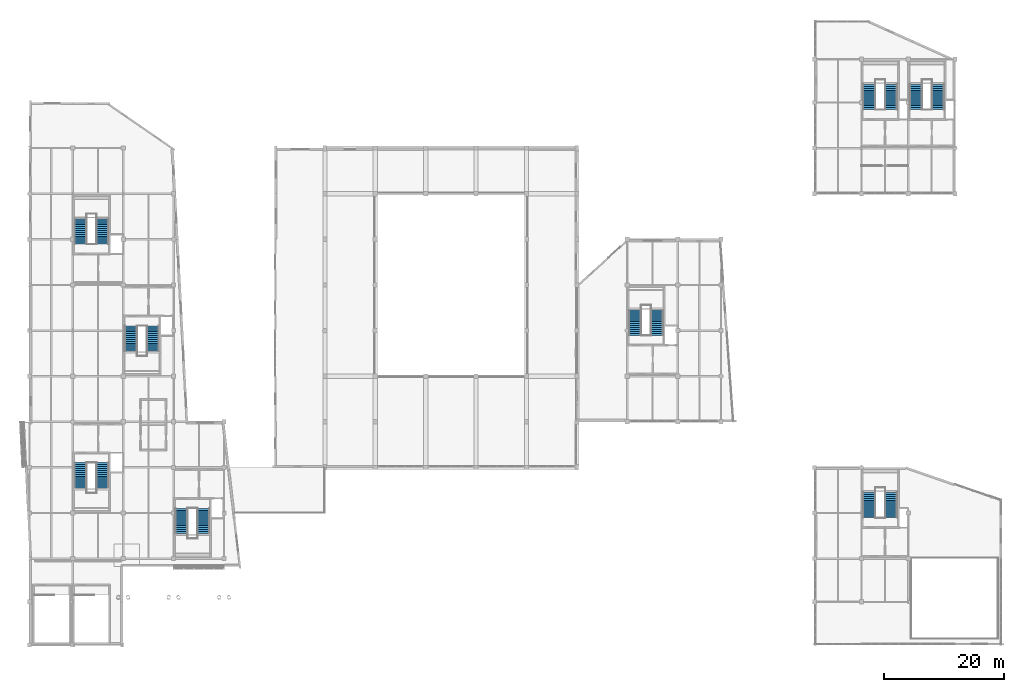
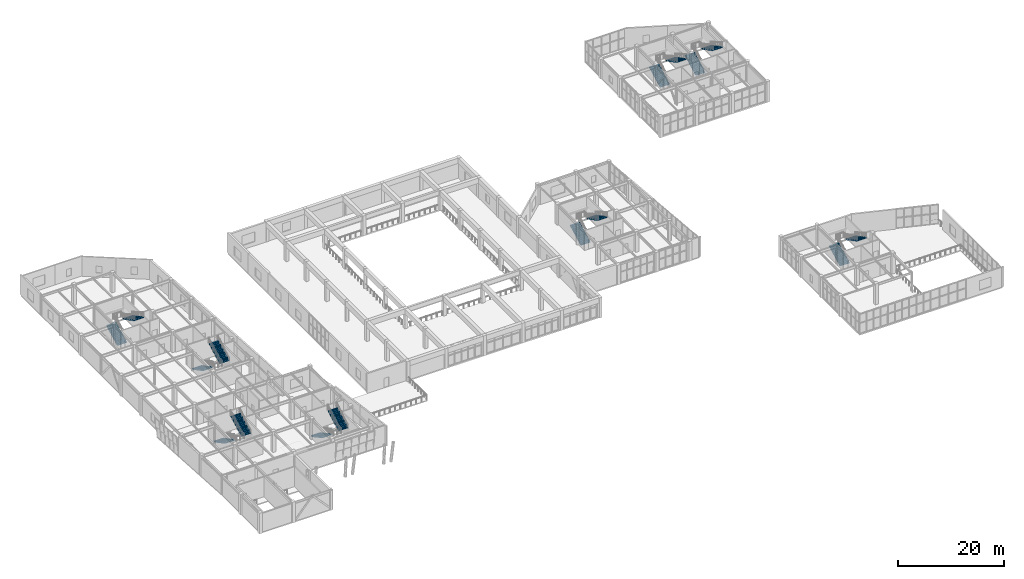
# One storey, part 69 of 72: 16 stair flights, 8 elements without a shape of their own.
"""IFC4 building model written with IfcOpenShell, lengths in metres."""

from ifc_helpers import new_model, si_unit, direction, frame, origin, place, context, subcontext, project, spatial, polyline, outline, extrude, material, type_object, element, aggregate, save


model = new_model("IFC4")

# Units and contexts
model_context = context("Model", 3, precision=1e-05, world=origin(), true_north=direction((0.0, 1.0)))
body_context = subcontext(model_context, "Body", "Model", "MODEL_VIEW")
ifc_project = project(units=[si_unit("LENGTHUNIT", "METRE"), si_unit("AREAUNIT", "SQUARE_METRE"), si_unit("VOLUMEUNIT", "CUBIC_METRE"), si_unit("PLANEANGLEUNIT", "RADIAN"), si_unit("MASSUNIT", "GRAM", prefix="KILO")], contexts=[model_context])

# Site, building, storey
site_placement = place(None, origin())
site = spatial("IfcSite", under=ifc_project, at=site_placement, CompositionType="ELEMENT")
building_placement = place(site_placement, origin())
building = spatial("IfcBuilding", under=site, at=building_placement, Name="Xicomal Pleat Aquarium", CompositionType="ELEMENT")
storey_placement = place(building_placement, frame((0.0, 0.0, 10.5)))
storey = spatial("IfcBuildingStorey", under=building, at=storey_placement, Name="L03", CompositionType="ELEMENT", Elevation=10.5)

# Stair, stair flights
ifc_material_1 = material(Name="Concrete C35/45", Category="concrete")
stair_type = type_object("IfcStairType", Name="STR-HT-4800-2400", PredefinedType="HALF_TURN_STAIR", material=ifc_material_1)
stair_1_placement = place(storey_placement, origin())
stair_1 = element("IfcStair", 1, at=stair_1_placement, inside=storey, type_object=stair_type, Name="ST-01 fire exit stair L03 to L04", PredefinedType="HALF_TURN_STAIR")
ifc_material_2 = material(Name="Concrete C35/45", Category="concrete")
stair_flight_type = type_object("IfcStairFlightType", Name="STF-4800-2400", PredefinedType="STRAIGHT", material=ifc_material_2)
stair_flight_1_placement = place(storey_placement, frame((11.489990234375, 31.179931640625, 0.0), z_axis=(0.0, 0.0, 1.0), x_axis=(0.0, -1.0, 0.0)))
stair_flight_1 = element("IfcStairFlight", 2, at=stair_flight_1_placement, type_object=stair_flight_type, Name="ST-01 flight 1", NumberOfRisers=14, NumberOfTreads=13, PredefinedType="STRAIGHT", RiserHeight=0.171428571, TreadLength=0.322, context=body_context, shape_type="SweptSolid", body=[
    extrude(outline(polyline([(0.0, 0.0), (0.0, 0.17138671875), (0.322021484375, 0.17138671875), (0.322021484375, 0.3427734375), (0.64404296875, 0.3427734375), (0.64404296875, 0.514404296875), (0.966064453125, 0.514404296875), (0.966064453125, 0.685791015625), (1.2880859375, 0.685791015625), (1.2880859375, 0.857177734375), (1.610107421875, 0.857177734375), (1.610107421875, 1.028564453125), (1.931884765625, 1.028564453125), (1.931884765625, 1.199951171875), (2.25390625, 1.199951171875), (2.25390625, 1.371337890625), (2.575927734375, 1.371337890625), (2.575927734375, 1.54296875), (2.89794921875, 1.54296875), (2.89794921875, 1.71435546875), (3.219970703125, 1.71435546875), (3.219970703125, 1.8857421875), (3.5419921875, 1.8857421875), (3.5419921875, 2.05712890625), (3.864013671875, 2.05712890625), (3.864013671875, 2.228515625), (4.18603515625, 2.228515625), (4.18603515625, 2.39990234375), (4.18603515625, 2.04736328125), (0.34033203125, 0.0), (0.0, 0.0)])), frame((0.0, 1.050048828125, 0.0), z_axis=(0.0, -1.0, 0.0), x_axis=(1.0, 0.0, 0.0)), (0.0, 0.0, 1.0), 2.10009765625),
])
stair_flight_2_placement = place(storey_placement, frame((15.169921875, 26.993896484375, 2.39990234375), z_axis=(0.0, 0.0, 1.0), x_axis=(0.0, 1.0, 0.0)))
stair_flight_2 = element("IfcStairFlight", 3, at=stair_flight_2_placement, type_object=stair_flight_type, Name="ST-01 flight 2", NumberOfRisers=14, NumberOfTreads=13, PredefinedType="STRAIGHT", RiserHeight=0.171428571, TreadLength=0.322, context=body_context, shape_type="SweptSolid", body=[
    extrude(outline(polyline([(0.0, 0.0), (0.0, 0.17138671875), (0.322021484375, 0.17138671875), (0.322021484375, 0.3427734375), (0.64404296875, 0.3427734375), (0.64404296875, 0.514404296875), (0.966064453125, 0.514404296875), (0.966064453125, 0.685791015625), (1.2880859375, 0.685791015625), (1.2880859375, 0.857177734375), (1.610107421875, 0.857177734375), (1.610107421875, 1.028564453125), (1.931884765625, 1.028564453125), (1.931884765625, 1.199951171875), (2.25390625, 1.199951171875), (2.25390625, 1.371337890625), (2.575927734375, 1.371337890625), (2.575927734375, 1.54296875), (2.89794921875, 1.54296875), (2.89794921875, 1.71435546875), (3.219970703125, 1.71435546875), (3.219970703125, 1.8857421875), (3.5419921875, 1.8857421875), (3.5419921875, 2.05712890625), (3.864013671875, 2.05712890625), (3.864013671875, 2.228515625), (4.18603515625, 2.228515625), (4.18603515625, 2.39990234375), (4.18603515625, 2.04736328125), (0.34033203125, 0.0), (0.0, 0.0)])), frame((0.0, 1.050048828125, 0.0), z_axis=(0.0, -1.0, 0.0), x_axis=(1.0, 0.0, 0.0)), (0.0, 0.0, 1.0), 2.10009765625),
])
aggregate(stair_1, [stair_flight_1, stair_flight_2])

stair_2_placement = place(storey_placement, origin())
stair_2 = element("IfcStair", 4, at=stair_2_placement, inside=storey, type_object=stair_type, Name="ST-02 fire exit stair L03 to L04", PredefinedType="HALF_TURN_STAIR")
stair_flight_3_placement = place(storey_placement, frame((28.2900390625, 23.580078125, 0.0), z_axis=(0.0, 0.0, 1.0), x_axis=(0.0, -1.0, 0.0)))
stair_flight_3 = element("IfcStairFlight", 5, at=stair_flight_3_placement, type_object=stair_flight_type, Name="ST-02 flight 1", NumberOfRisers=14, NumberOfTreads=13, PredefinedType="STRAIGHT", RiserHeight=0.171428571, TreadLength=0.322, context=body_context, shape_type="SweptSolid", body=[
    extrude(outline(polyline([(0.0, 0.0), (0.0, 0.17138671875), (0.322021484375, 0.17138671875), (0.322021484375, 0.3427734375), (0.64404296875, 0.3427734375), (0.64404296875, 0.514404296875), (0.966064453125, 0.514404296875), (0.966064453125, 0.685791015625), (1.2880859375, 0.685791015625), (1.2880859375, 0.857177734375), (1.610107421875, 0.857177734375), (1.610107421875, 1.028564453125), (1.931884765625, 1.028564453125), (1.931884765625, 1.199951171875), (2.25390625, 1.199951171875), (2.25390625, 1.371337890625), (2.575927734375, 1.371337890625), (2.575927734375, 1.54296875), (2.89794921875, 1.54296875), (2.89794921875, 1.71435546875), (3.219970703125, 1.71435546875), (3.219970703125, 1.8857421875), (3.5419921875, 1.8857421875), (3.5419921875, 2.05712890625), (3.864013671875, 2.05712890625), (3.864013671875, 2.228515625), (4.18603515625, 2.228515625), (4.18603515625, 2.39990234375), (4.18603515625, 2.04736328125), (0.34033203125, 0.0), (0.0, 0.0)])), frame((0.0, 1.050048828125, 0.0), z_axis=(0.0, -1.0, 0.0), x_axis=(1.0, 0.0, 0.0)), (0.0, 0.0, 1.0), 2.10009765625),
])
stair_flight_4_placement = place(storey_placement, frame((31.969970703125, 19.39404296875, 2.39990234375), z_axis=(0.0, 0.0, 1.0), x_axis=(0.0, 1.0, 0.0)))
stair_flight_4 = element("IfcStairFlight", 6, at=stair_flight_4_placement, type_object=stair_flight_type, Name="ST-02 flight 2", NumberOfRisers=14, NumberOfTreads=13, PredefinedType="STRAIGHT", RiserHeight=0.171428571, TreadLength=0.322, context=body_context, shape_type="SweptSolid", body=[
    extrude(outline(polyline([(0.0, 0.0), (0.0, 0.17138671875), (0.322021484375, 0.17138671875), (0.322021484375, 0.3427734375), (0.64404296875, 0.3427734375), (0.64404296875, 0.514404296875), (0.966064453125, 0.514404296875), (0.966064453125, 0.685791015625), (1.2880859375, 0.685791015625), (1.2880859375, 0.857177734375), (1.610107421875, 0.857177734375), (1.610107421875, 1.028564453125), (1.931884765625, 1.028564453125), (1.931884765625, 1.199951171875), (2.25390625, 1.199951171875), (2.25390625, 1.371337890625), (2.575927734375, 1.371337890625), (2.575927734375, 1.54296875), (2.89794921875, 1.54296875), (2.89794921875, 1.71435546875), (3.219970703125, 1.71435546875), (3.219970703125, 1.8857421875), (3.5419921875, 1.8857421875), (3.5419921875, 2.05712890625), (3.864013671875, 2.05712890625), (3.864013671875, 2.228515625), (4.18603515625, 2.228515625), (4.18603515625, 2.39990234375), (4.18603515625, 2.04736328125), (0.34033203125, 0.0), (0.0, 0.0)])), frame((0.0, 1.050048828125, 0.0), z_axis=(0.0, -1.0, 0.0), x_axis=(1.0, 0.0, 0.0)), (0.0, 0.0, 1.0), 2.10009765625),
])
aggregate(stair_2, [stair_flight_3, stair_flight_4])

stair_3_placement = place(storey_placement, origin())
stair_3 = element("IfcStair", 7, at=stair_3_placement, inside=storey, type_object=stair_type, Name="ST-03 fire exit stair L03 to L04", PredefinedType="HALF_TURN_STAIR")
stair_flight_5_placement = place(storey_placement, frame((11.489990234375, 67.6201171875, 0.0), z_axis=(0.0, 0.0, 1.0), x_axis=(0.0, 1.0, 0.0)))
stair_flight_5 = element("IfcStairFlight", 8, at=stair_flight_5_placement, type_object=stair_flight_type, Name="ST-03 flight 1", NumberOfRisers=14, NumberOfTreads=13, PredefinedType="STRAIGHT", RiserHeight=0.171428571, TreadLength=0.322, context=body_context, shape_type="SweptSolid", body=[
    extrude(outline(polyline([(0.0, 0.0), (0.0, 0.17138671875), (0.322021484375, 0.17138671875), (0.322021484375, 0.3427734375), (0.64404296875, 0.3427734375), (0.64404296875, 0.514404296875), (0.966064453125, 0.514404296875), (0.966064453125, 0.685791015625), (1.2880859375, 0.685791015625), (1.2880859375, 0.857177734375), (1.610107421875, 0.857177734375), (1.610107421875, 1.028564453125), (1.931884765625, 1.028564453125), (1.931884765625, 1.199951171875), (2.25390625, 1.199951171875), (2.25390625, 1.371337890625), (2.575927734375, 1.371337890625), (2.575927734375, 1.54296875), (2.89794921875, 1.54296875), (2.89794921875, 1.71435546875), (3.219970703125, 1.71435546875), (3.219970703125, 1.8857421875), (3.5419921875, 1.8857421875), (3.5419921875, 2.05712890625), (3.864013671875, 2.05712890625), (3.864013671875, 2.228515625), (4.18603515625, 2.228515625), (4.18603515625, 2.39990234375), (4.18603515625, 2.04736328125), (0.34033203125, 0.0), (0.0, 0.0)])), frame((0.0, 1.050048828125, 0.0), z_axis=(0.0, -1.0, 0.0), x_axis=(1.0, 0.0, 0.0)), (0.0, 0.0, 1.0), 2.10009765625),
])
stair_flight_6_placement = place(storey_placement, frame((15.169921875, 71.805908203125, 2.39990234375), z_axis=(0.0, 0.0, 1.0), x_axis=(0.0, -1.0, 0.0)))
stair_flight_6 = element("IfcStairFlight", 9, at=stair_flight_6_placement, type_object=stair_flight_type, Name="ST-03 flight 2", NumberOfRisers=14, NumberOfTreads=13, PredefinedType="STRAIGHT", RiserHeight=0.171428571, TreadLength=0.322, context=body_context, shape_type="SweptSolid", body=[
    extrude(outline(polyline([(0.0, 0.0), (0.0, 0.17138671875), (0.322021484375, 0.17138671875), (0.322021484375, 0.3427734375), (0.64404296875, 0.3427734375), (0.64404296875, 0.514404296875), (0.966064453125, 0.514404296875), (0.966064453125, 0.685791015625), (1.2880859375, 0.685791015625), (1.2880859375, 0.857177734375), (1.610107421875, 0.857177734375), (1.610107421875, 1.028564453125), (1.931884765625, 1.028564453125), (1.931884765625, 1.199951171875), (2.25390625, 1.199951171875), (2.25390625, 1.371337890625), (2.575927734375, 1.371337890625), (2.575927734375, 1.54296875), (2.89794921875, 1.54296875), (2.89794921875, 1.71435546875), (3.219970703125, 1.71435546875), (3.219970703125, 1.8857421875), (3.5419921875, 1.8857421875), (3.5419921875, 2.05712890625), (3.864013671875, 2.05712890625), (3.864013671875, 2.228515625), (4.18603515625, 2.228515625), (4.18603515625, 2.39990234375), (4.18603515625, 2.04736328125), (0.34033203125, 0.0), (0.0, 0.0)])), frame((0.0, 1.050048828125, 0.0), z_axis=(0.0, -1.0, 0.0), x_axis=(1.0, 0.0, 0.0)), (0.0, 0.0, 1.0), 2.10009765625),
])
aggregate(stair_3, [stair_flight_5, stair_flight_6])

stair_4_placement = place(storey_placement, origin())
stair_4 = element("IfcStair", 10, at=stair_4_placement, inside=storey, type_object=stair_type, Name="ST-04 fire exit stair L03 to L04", PredefinedType="HALF_TURN_STAIR")
stair_flight_7_placement = place(storey_placement, frame((19.889892578125, 53.97998046875, 0.0), z_axis=(0.0, 0.0, 1.0), x_axis=(0.0, -1.0, 0.0)))
stair_flight_7 = element("IfcStairFlight", 11, at=stair_flight_7_placement, type_object=stair_flight_type, Name="ST-04 flight 1", NumberOfRisers=14, NumberOfTreads=13, PredefinedType="STRAIGHT", RiserHeight=0.171428571, TreadLength=0.322, context=body_context, shape_type="SweptSolid", body=[
    extrude(outline(polyline([(0.0, 0.0), (0.0, 0.17138671875), (0.322021484375, 0.17138671875), (0.322021484375, 0.3427734375), (0.64404296875, 0.3427734375), (0.64404296875, 0.514404296875), (0.966064453125, 0.514404296875), (0.966064453125, 0.685791015625), (1.2880859375, 0.685791015625), (1.2880859375, 0.857177734375), (1.610107421875, 0.857177734375), (1.610107421875, 1.028564453125), (1.931884765625, 1.028564453125), (1.931884765625, 1.199951171875), (2.25390625, 1.199951171875), (2.25390625, 1.371337890625), (2.575927734375, 1.371337890625), (2.575927734375, 1.54296875), (2.89794921875, 1.54296875), (2.89794921875, 1.71435546875), (3.219970703125, 1.71435546875), (3.219970703125, 1.8857421875), (3.5419921875, 1.8857421875), (3.5419921875, 2.05712890625), (3.864013671875, 2.05712890625), (3.864013671875, 2.228515625), (4.18603515625, 2.228515625), (4.18603515625, 2.39990234375), (4.18603515625, 2.04736328125), (0.34033203125, 0.0), (0.0, 0.0)])), frame((0.0, 1.050048828125, 0.0), z_axis=(0.0, -1.0, 0.0), x_axis=(1.0, 0.0, 0.0)), (0.0, 0.0, 1.0), 2.10009765625),
])
stair_flight_8_placement = place(storey_placement, frame((23.570068359375, 49.7939453125, 2.39990234375), z_axis=(0.0, 0.0, 1.0), x_axis=(0.0, 1.0, 0.0)))
stair_flight_8 = element("IfcStairFlight", 12, at=stair_flight_8_placement, type_object=stair_flight_type, Name="ST-04 flight 2", NumberOfRisers=14, NumberOfTreads=13, PredefinedType="STRAIGHT", RiserHeight=0.171428571, TreadLength=0.322, context=body_context, shape_type="SweptSolid", body=[
    extrude(outline(polyline([(0.0, 0.0), (0.0, 0.17138671875), (0.322021484375, 0.17138671875), (0.322021484375, 0.3427734375), (0.64404296875, 0.3427734375), (0.64404296875, 0.514404296875), (0.966064453125, 0.514404296875), (0.966064453125, 0.685791015625), (1.2880859375, 0.685791015625), (1.2880859375, 0.857177734375), (1.610107421875, 0.857177734375), (1.610107421875, 1.028564453125), (1.931884765625, 1.028564453125), (1.931884765625, 1.199951171875), (2.25390625, 1.199951171875), (2.25390625, 1.371337890625), (2.575927734375, 1.371337890625), (2.575927734375, 1.54296875), (2.89794921875, 1.54296875), (2.89794921875, 1.71435546875), (3.219970703125, 1.71435546875), (3.219970703125, 1.8857421875), (3.5419921875, 1.8857421875), (3.5419921875, 2.05712890625), (3.864013671875, 2.05712890625), (3.864013671875, 2.228515625), (4.18603515625, 2.228515625), (4.18603515625, 2.39990234375), (4.18603515625, 2.04736328125), (0.34033203125, 0.0), (0.0, 0.0)])), frame((0.0, 1.050048828125, 0.0), z_axis=(0.0, -1.0, 0.0), x_axis=(1.0, 0.0, 0.0)), (0.0, 0.0, 1.0), 2.10009765625),
])
aggregate(stair_4, [stair_flight_7, stair_flight_8])

stair_5_placement = place(storey_placement, origin())
stair_5 = element("IfcStair", 13, at=stair_5_placement, inside=storey, type_object=stair_type, Name="ST-05 fire exit stair L03 to L04", PredefinedType="HALF_TURN_STAIR")
stair_flight_9_placement = place(storey_placement, frame((142.889892578125, 90.02001953125, 0.0), z_axis=(0.0, 0.0, 1.0), x_axis=(0.0, 1.0, 0.0)))
stair_flight_9 = element("IfcStairFlight", 14, at=stair_flight_9_placement, type_object=stair_flight_type, Name="ST-05 flight 1", NumberOfRisers=14, NumberOfTreads=13, PredefinedType="STRAIGHT", RiserHeight=0.171428571, TreadLength=0.322, context=body_context, shape_type="SweptSolid", body=[
    extrude(outline(polyline([(0.0, 0.0), (0.0, 0.17138671875), (0.322021484375, 0.17138671875), (0.322021484375, 0.3427734375), (0.64404296875, 0.3427734375), (0.64404296875, 0.514404296875), (0.966064453125, 0.514404296875), (0.966064453125, 0.685791015625), (1.2880859375, 0.685791015625), (1.2880859375, 0.857177734375), (1.610107421875, 0.857177734375), (1.610107421875, 1.028564453125), (1.931884765625, 1.028564453125), (1.931884765625, 1.199951171875), (2.25390625, 1.199951171875), (2.25390625, 1.371337890625), (2.575927734375, 1.371337890625), (2.575927734375, 1.54296875), (2.89794921875, 1.54296875), (2.89794921875, 1.71435546875), (3.219970703125, 1.71435546875), (3.219970703125, 1.8857421875), (3.5419921875, 1.8857421875), (3.5419921875, 2.05712890625), (3.864013671875, 2.05712890625), (3.864013671875, 2.228515625), (4.18603515625, 2.228515625), (4.18603515625, 2.39990234375), (4.18603515625, 2.04736328125), (0.34033203125, 0.0), (0.0, 0.0)])), frame((0.0, 1.050048828125, 0.0), z_axis=(0.0, -1.0, 0.0), x_axis=(1.0, 0.0, 0.0)), (0.0, 0.0, 1.0), 2.10009765625),
])
stair_flight_10_placement = place(storey_placement, frame((146.570068359375, 94.2060546875, 2.39990234375), z_axis=(0.0, 0.0, 1.0), x_axis=(0.0, -1.0, 0.0)))
stair_flight_10 = element("IfcStairFlight", 15, at=stair_flight_10_placement, type_object=stair_flight_type, Name="ST-05 flight 2", NumberOfRisers=14, NumberOfTreads=13, PredefinedType="STRAIGHT", RiserHeight=0.171428571, TreadLength=0.322, context=body_context, shape_type="SweptSolid", body=[
    extrude(outline(polyline([(0.0, 0.0), (0.0, 0.17138671875), (0.322021484375, 0.17138671875), (0.322021484375, 0.3427734375), (0.64404296875, 0.3427734375), (0.64404296875, 0.514404296875), (0.966064453125, 0.514404296875), (0.966064453125, 0.685791015625), (1.2880859375, 0.685791015625), (1.2880859375, 0.857177734375), (1.610107421875, 0.857177734375), (1.610107421875, 1.028564453125), (1.931884765625, 1.028564453125), (1.931884765625, 1.199951171875), (2.25390625, 1.199951171875), (2.25390625, 1.371337890625), (2.575927734375, 1.371337890625), (2.575927734375, 1.54296875), (2.89794921875, 1.54296875), (2.89794921875, 1.71435546875), (3.219970703125, 1.71435546875), (3.219970703125, 1.8857421875), (3.5419921875, 1.8857421875), (3.5419921875, 2.05712890625), (3.864013671875, 2.05712890625), (3.864013671875, 2.228515625), (4.18603515625, 2.228515625), (4.18603515625, 2.39990234375), (4.18603515625, 2.04736328125), (0.34033203125, 0.0), (0.0, 0.0)])), frame((0.0, 1.050048828125, 0.0), z_axis=(0.0, -1.0, 0.0), x_axis=(1.0, 0.0, 0.0)), (0.0, 0.0, 1.0), 2.10009765625),
])
aggregate(stair_5, [stair_flight_9, stair_flight_10])

stair_6_placement = place(storey_placement, origin())
stair_6 = element("IfcStair", 16, at=stair_6_placement, inside=storey, type_object=stair_type, Name="ST-06 fire exit stair L03 to L04", PredefinedType="HALF_TURN_STAIR")
stair_flight_11_placement = place(storey_placement, frame((150.68994140625, 90.02001953125, 0.0), z_axis=(0.0, 0.0, 1.0), x_axis=(0.0, 1.0, 0.0)))
stair_flight_11 = element("IfcStairFlight", 17, at=stair_flight_11_placement, type_object=stair_flight_type, Name="ST-06 flight 1", NumberOfRisers=14, NumberOfTreads=13, PredefinedType="STRAIGHT", RiserHeight=0.171428571, TreadLength=0.322, context=body_context, shape_type="SweptSolid", body=[
    extrude(outline(polyline([(0.0, 0.0), (0.0, 0.17138671875), (0.322021484375, 0.17138671875), (0.322021484375, 0.3427734375), (0.64404296875, 0.3427734375), (0.64404296875, 0.514404296875), (0.966064453125, 0.514404296875), (0.966064453125, 0.685791015625), (1.2880859375, 0.685791015625), (1.2880859375, 0.857177734375), (1.610107421875, 0.857177734375), (1.610107421875, 1.028564453125), (1.931884765625, 1.028564453125), (1.931884765625, 1.199951171875), (2.25390625, 1.199951171875), (2.25390625, 1.371337890625), (2.575927734375, 1.371337890625), (2.575927734375, 1.54296875), (2.89794921875, 1.54296875), (2.89794921875, 1.71435546875), (3.219970703125, 1.71435546875), (3.219970703125, 1.8857421875), (3.5419921875, 1.8857421875), (3.5419921875, 2.05712890625), (3.864013671875, 2.05712890625), (3.864013671875, 2.228515625), (4.18603515625, 2.228515625), (4.18603515625, 2.39990234375), (4.18603515625, 2.04736328125), (0.34033203125, 0.0), (0.0, 0.0)])), frame((0.0, 1.050048828125, 0.0), z_axis=(0.0, -1.0, 0.0), x_axis=(1.0, 0.0, 0.0)), (0.0, 0.0, 1.0), 2.10009765625),
])
stair_flight_12_placement = place(storey_placement, frame((154.3701171875, 94.2060546875, 2.39990234375), z_axis=(0.0, 0.0, 1.0), x_axis=(0.0, -1.0, 0.0)))
stair_flight_12 = element("IfcStairFlight", 18, at=stair_flight_12_placement, type_object=stair_flight_type, Name="ST-06 flight 2", NumberOfRisers=14, NumberOfTreads=13, PredefinedType="STRAIGHT", RiserHeight=0.171428571, TreadLength=0.322, context=body_context, shape_type="SweptSolid", body=[
    extrude(outline(polyline([(0.0, 0.0), (0.0, 0.17138671875), (0.322021484375, 0.17138671875), (0.322021484375, 0.3427734375), (0.64404296875, 0.3427734375), (0.64404296875, 0.514404296875), (0.966064453125, 0.514404296875), (0.966064453125, 0.685791015625), (1.2880859375, 0.685791015625), (1.2880859375, 0.857177734375), (1.610107421875, 0.857177734375), (1.610107421875, 1.028564453125), (1.931884765625, 1.028564453125), (1.931884765625, 1.199951171875), (2.25390625, 1.199951171875), (2.25390625, 1.371337890625), (2.575927734375, 1.371337890625), (2.575927734375, 1.54296875), (2.89794921875, 1.54296875), (2.89794921875, 1.71435546875), (3.219970703125, 1.71435546875), (3.219970703125, 1.8857421875), (3.5419921875, 1.8857421875), (3.5419921875, 2.05712890625), (3.864013671875, 2.05712890625), (3.864013671875, 2.228515625), (4.18603515625, 2.228515625), (4.18603515625, 2.39990234375), (4.18603515625, 2.04736328125), (0.34033203125, 0.0), (0.0, 0.0)])), frame((0.0, 1.050048828125, 0.0), z_axis=(0.0, -1.0, 0.0), x_axis=(1.0, 0.0, 0.0)), (0.0, 0.0, 1.0), 2.10009765625),
])
aggregate(stair_6, [stair_flight_11, stair_flight_12])

stair_7_placement = place(storey_placement, origin())
stair_7 = element("IfcStair", 19, at=stair_7_placement, inside=storey, type_object=stair_type, Name="ST-07 fire exit stair L03 to L04", PredefinedType="HALF_TURN_STAIR")
stair_flight_13_placement = place(storey_placement, frame((103.889892578125, 52.419921875, 0.0), z_axis=(0.0, 0.0, 1.0), x_axis=(0.0, 1.0, 0.0)))
stair_flight_13 = element("IfcStairFlight", 20, at=stair_flight_13_placement, type_object=stair_flight_type, Name="ST-07 flight 1", NumberOfRisers=14, NumberOfTreads=13, PredefinedType="STRAIGHT", RiserHeight=0.171428571, TreadLength=0.322, context=body_context, shape_type="SweptSolid", body=[
    extrude(outline(polyline([(0.0, 0.0), (0.0, 0.17138671875), (0.322021484375, 0.17138671875), (0.322021484375, 0.3427734375), (0.64404296875, 0.3427734375), (0.64404296875, 0.514404296875), (0.966064453125, 0.514404296875), (0.966064453125, 0.685791015625), (1.2880859375, 0.685791015625), (1.2880859375, 0.857177734375), (1.610107421875, 0.857177734375), (1.610107421875, 1.028564453125), (1.931884765625, 1.028564453125), (1.931884765625, 1.199951171875), (2.25390625, 1.199951171875), (2.25390625, 1.371337890625), (2.575927734375, 1.371337890625), (2.575927734375, 1.54296875), (2.89794921875, 1.54296875), (2.89794921875, 1.71435546875), (3.219970703125, 1.71435546875), (3.219970703125, 1.8857421875), (3.5419921875, 1.8857421875), (3.5419921875, 2.05712890625), (3.864013671875, 2.05712890625), (3.864013671875, 2.228515625), (4.18603515625, 2.228515625), (4.18603515625, 2.39990234375), (4.18603515625, 2.04736328125), (0.34033203125, 0.0), (0.0, 0.0)])), frame((0.0, 1.050048828125, 0.0), z_axis=(0.0, -1.0, 0.0), x_axis=(1.0, 0.0, 0.0)), (0.0, 0.0, 1.0), 2.10009765625),
])
stair_flight_14_placement = place(storey_placement, frame((107.570068359375, 56.60595703125, 2.39990234375), z_axis=(0.0, 0.0, 1.0), x_axis=(0.0, -1.0, 0.0)))
stair_flight_14 = element("IfcStairFlight", 21, at=stair_flight_14_placement, type_object=stair_flight_type, Name="ST-07 flight 2", NumberOfRisers=14, NumberOfTreads=13, PredefinedType="STRAIGHT", RiserHeight=0.171428571, TreadLength=0.322, context=body_context, shape_type="SweptSolid", body=[
    extrude(outline(polyline([(0.0, 0.0), (0.0, 0.17138671875), (0.322021484375, 0.17138671875), (0.322021484375, 0.3427734375), (0.64404296875, 0.3427734375), (0.64404296875, 0.514404296875), (0.966064453125, 0.514404296875), (0.966064453125, 0.685791015625), (1.2880859375, 0.685791015625), (1.2880859375, 0.857177734375), (1.610107421875, 0.857177734375), (1.610107421875, 1.028564453125), (1.931884765625, 1.028564453125), (1.931884765625, 1.199951171875), (2.25390625, 1.199951171875), (2.25390625, 1.371337890625), (2.575927734375, 1.371337890625), (2.575927734375, 1.54296875), (2.89794921875, 1.54296875), (2.89794921875, 1.71435546875), (3.219970703125, 1.71435546875), (3.219970703125, 1.8857421875), (3.5419921875, 1.8857421875), (3.5419921875, 2.05712890625), (3.864013671875, 2.05712890625), (3.864013671875, 2.228515625), (4.18603515625, 2.228515625), (4.18603515625, 2.39990234375), (4.18603515625, 2.04736328125), (0.34033203125, 0.0), (0.0, 0.0)])), frame((0.0, 1.050048828125, 0.0), z_axis=(0.0, -1.0, 0.0), x_axis=(1.0, 0.0, 0.0)), (0.0, 0.0, 1.0), 2.10009765625),
])
aggregate(stair_7, [stair_flight_13, stair_flight_14])

stair_8_placement = place(storey_placement, origin())
stair_8 = element("IfcStair", 22, at=stair_8_placement, inside=storey, type_object=stair_type, Name="ST-08 fire exit stair L03 to L04", PredefinedType="HALF_TURN_STAIR")
stair_flight_15_placement = place(storey_placement, frame((142.889892578125, 22.02001953125, 0.0), z_axis=(0.0, 0.0, 1.0), x_axis=(0.0, 1.0, 0.0)))
stair_flight_15 = element("IfcStairFlight", 23, at=stair_flight_15_placement, type_object=stair_flight_type, Name="ST-08 flight 1", NumberOfRisers=14, NumberOfTreads=13, PredefinedType="STRAIGHT", RiserHeight=0.171428571, TreadLength=0.322, context=body_context, shape_type="SweptSolid", body=[
    extrude(outline(polyline([(0.0, 0.0), (0.0, 0.17138671875), (0.322021484375, 0.17138671875), (0.322021484375, 0.3427734375), (0.64404296875, 0.3427734375), (0.64404296875, 0.514404296875), (0.966064453125, 0.514404296875), (0.966064453125, 0.685791015625), (1.2880859375, 0.685791015625), (1.2880859375, 0.857177734375), (1.610107421875, 0.857177734375), (1.610107421875, 1.028564453125), (1.931884765625, 1.028564453125), (1.931884765625, 1.199951171875), (2.25390625, 1.199951171875), (2.25390625, 1.371337890625), (2.575927734375, 1.371337890625), (2.575927734375, 1.54296875), (2.89794921875, 1.54296875), (2.89794921875, 1.71435546875), (3.219970703125, 1.71435546875), (3.219970703125, 1.8857421875), (3.5419921875, 1.8857421875), (3.5419921875, 2.05712890625), (3.864013671875, 2.05712890625), (3.864013671875, 2.228515625), (4.18603515625, 2.228515625), (4.18603515625, 2.39990234375), (4.18603515625, 2.04736328125), (0.34033203125, 0.0), (0.0, 0.0)])), frame((0.0, 1.050048828125, 0.0), z_axis=(0.0, -1.0, 0.0), x_axis=(1.0, 0.0, 0.0)), (0.0, 0.0, 1.0), 2.10009765625),
])
stair_flight_16_placement = place(storey_placement, frame((146.570068359375, 26.2060546875, 2.39990234375), z_axis=(0.0, 0.0, 1.0), x_axis=(0.0, -1.0, 0.0)))
stair_flight_16 = element("IfcStairFlight", 24, at=stair_flight_16_placement, type_object=stair_flight_type, Name="ST-08 flight 2", NumberOfRisers=14, NumberOfTreads=13, PredefinedType="STRAIGHT", RiserHeight=0.171428571, TreadLength=0.322, context=body_context, shape_type="SweptSolid", body=[
    extrude(outline(polyline([(0.0, 0.0), (0.0, 0.17138671875), (0.322021484375, 0.17138671875), (0.322021484375, 0.3427734375), (0.64404296875, 0.3427734375), (0.64404296875, 0.514404296875), (0.966064453125, 0.514404296875), (0.966064453125, 0.685791015625), (1.2880859375, 0.685791015625), (1.2880859375, 0.857177734375), (1.610107421875, 0.857177734375), (1.610107421875, 1.028564453125), (1.931884765625, 1.028564453125), (1.931884765625, 1.199951171875), (2.25390625, 1.199951171875), (2.25390625, 1.371337890625), (2.575927734375, 1.371337890625), (2.575927734375, 1.54296875), (2.89794921875, 1.54296875), (2.89794921875, 1.71435546875), (3.219970703125, 1.71435546875), (3.219970703125, 1.8857421875), (3.5419921875, 1.8857421875), (3.5419921875, 2.05712890625), (3.864013671875, 2.05712890625), (3.864013671875, 2.228515625), (4.18603515625, 2.228515625), (4.18603515625, 2.39990234375), (4.18603515625, 2.04736328125), (0.34033203125, 0.0), (0.0, 0.0)])), frame((0.0, 1.050048828125, 0.0), z_axis=(0.0, -1.0, 0.0), x_axis=(1.0, 0.0, 0.0)), (0.0, 0.0, 1.0), 2.10009765625),
])
aggregate(stair_8, [stair_flight_15, stair_flight_16])

save(model, "model.ifc")
